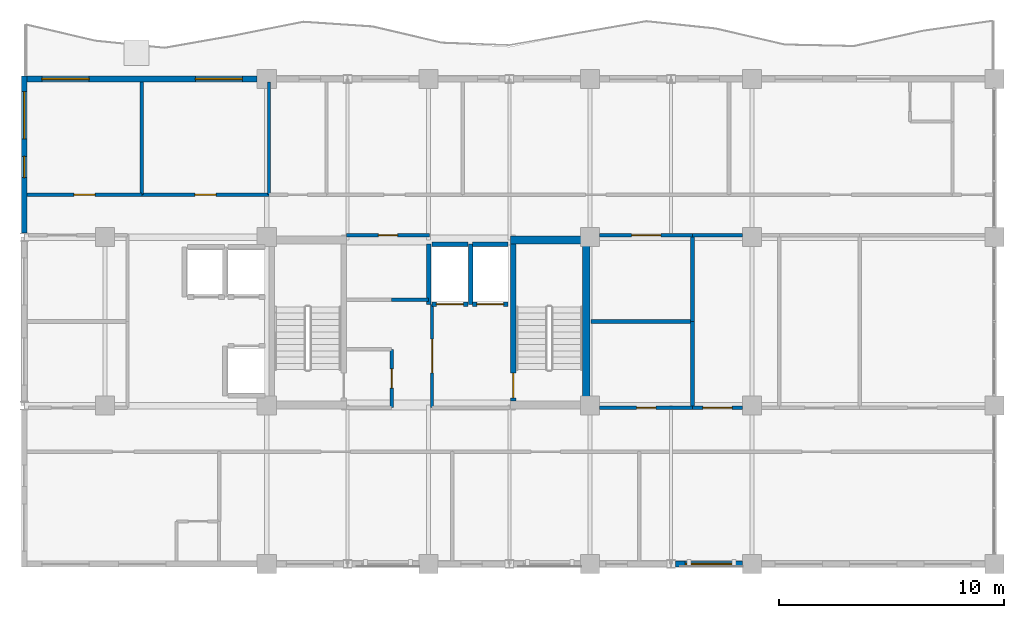
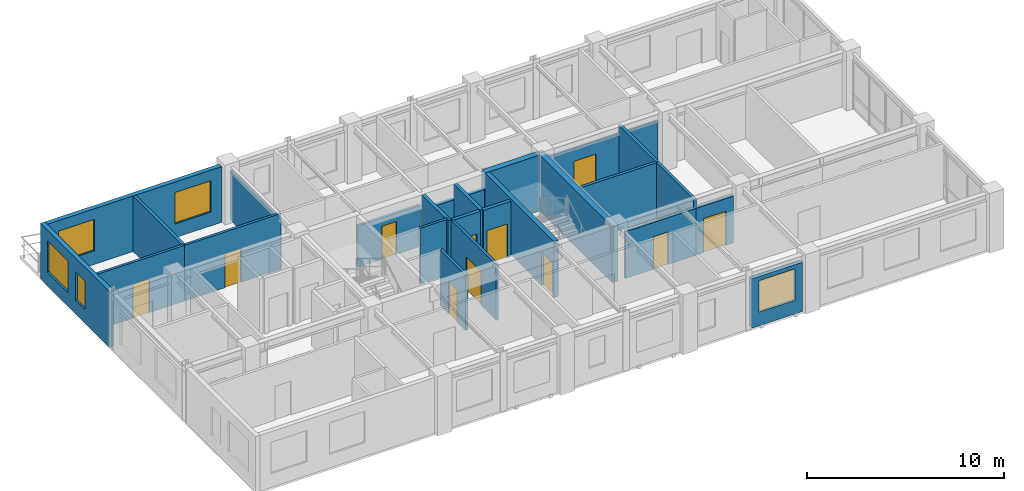
# One storey, part 7 of 11: 27 walls, 11 doors, 5 windows, 16 openings.
"""IFC4 building model written with IfcOpenShell, lengths in metres."""

from ifc_helpers import new_model, si_unit, direction, frame, frame_2d, origin, place, context, subcontext, project, spatial, rectangle, extrude, material, layer, layer_set, type_object, element, fill, save


model = new_model("IFC4")

# Units and contexts
model_context = context("Model", 3, precision=1e-05, world=origin(), true_north=direction((0.0, 1.0)))
body_context = subcontext(model_context, "Body", "Model", "MODEL_VIEW")
ifc_project = project(units=[si_unit("LENGTHUNIT", "METRE"), si_unit("AREAUNIT", "SQUARE_METRE"), si_unit("VOLUMEUNIT", "CUBIC_METRE"), si_unit("PLANEANGLEUNIT", "RADIAN"), si_unit("MASSUNIT", "GRAM", prefix="KILO")], contexts=[model_context])

# Site, building, storey
site_placement = place(None, origin())
site = spatial("IfcSite", under=ifc_project, at=site_placement, CompositionType="ELEMENT")
building_placement = place(site_placement, origin())
building = spatial("IfcBuilding", under=site, at=building_placement, Name="Kaliganga Portal Commons", CompositionType="ELEMENT")
storey_placement = place(building_placement, frame((0.0, 0.0, 257.300048828125)))
storey = spatial("IfcBuildingStorey", under=building, at=storey_placement, Name="L66", CompositionType="ELEMENT", Elevation=257.300048828125)

# Walls
ifc_material_1 = material(Name="Concrete C50/60", Category="concrete")
ifc_layer_1 = layer(ifc_material_1, 0.35009765625)
ifc_layer_set_1 = layer_set([ifc_layer_1], Name="Concrete C50/60")
wall_type_1 = type_object("IfcWallType", Name="WL-CORE-350", PredefinedType="SHEAR", material=ifc_layer_set_1)
wall_1_placement = place(storey_placement, frame((28.625, 28.5, 0.0), z_axis=(0.0, 0.0, 1.0), x_axis=(0.0, 1.0, 0.0)))
element("IfcWall", 1, at=wall_1_placement, inside=storey, type_object=wall_type_1, Name="Core A East Shear Wall L66", PredefinedType="SHEAR", context=body_context, shape_type="SweptSolid", body=[
    extrude(rectangle(XDim=7.699951171875, YDim=0.35009765625, at=frame_2d((3.85009765625, 0.0))), origin(), (0.0, 0.0, 1.0), 3.474853515625),
])
wall_2_placement = place(storey_placement, frame((25.25, 36.02490234375, 0.0), z_axis=(0.0, 0.0, 1.0), x_axis=(1.0, 0.0, 0.0)))
element("IfcWall", 2, at=wall_2_placement, inside=storey, type_object=wall_type_1, Name="Core A N-East Shear Wall L66", PredefinedType="SHEAR", context=body_context, shape_type="SweptSolid", body=[
    extrude(rectangle(XDim=3.199951171875, YDim=0.35009765625, at=frame_2d((1.60009765625, 0.0))), origin(), (0.0, 0.0, 1.0), 3.474853515625),
])

# Wall, opening, window
ifc_material_2 = material(Name="Insulated Aluminium-Clad Spandrel Assembly", Category="aluminium")
ifc_layer_2 = layer(ifc_material_2, 0.260009765625)
ifc_layer_set_2 = layer_set([ifc_layer_2], Name="Insulated Aluminium-Clad Spandrel Assembly")
wall_type_2 = type_object("IfcWallType", Name="WL-EXT-SPAND-260", PredefinedType="STANDARD", material=ifc_layer_set_2)
wall_3_placement = place(storey_placement, frame((35.573974609375, 21.60009765625, 0.0), z_axis=(0.0, 0.0, 1.0), x_axis=(-1.0, 0.0, 0.0)))
wall_3 = element("IfcWall", 3, at=wall_3_placement, inside=storey, type_object=wall_type_2, Name="Exterior Envelope Wall L66 P1-E00-S7", PredefinedType="STANDARD", context=body_context, shape_type="SweptSolid", body=[
    extrude(rectangle(XDim=2.986083984375, YDim=0.260009765625, at=frame_2d((1.4931640625, 0.0))), origin(), (0.0, 0.0, 1.0), 3.054931640625),
])
opening_1_placement = place(wall_3_placement, frame((0.443115234375, 0.0, 0.85009765625)))
opening_1 = element("IfcOpeningElement", 4, at=opening_1_placement, cuts=wall_3, Name="Opening W-06", PredefinedType="OPENING", context=body_context, shape_type="SweptSolid", body=[
    extrude(rectangle(XDim=2.10009765625, YDim=1.949951171875, at=frame_2d((1.050048828125, 0.97509765625))), frame((0.0, 0.14013671875, 0.0), z_axis=(0.0, -1.0, 0.0), x_axis=(1.0, 0.0, 0.0)), (0.0, 0.0, 1.0), 0.280029296875),
])
ifc_material_3 = material(Name="Thermally Broken Aluminium and Low-E Double Glazing", Category="aluminium")
window_type_1 = type_object("IfcWindowType", Name="WIN-PAN-2100", PartitioningType="DOUBLE_PANEL_VERTICAL", PredefinedType="WINDOW", material=ifc_material_3)
window_1_placement = place(opening_1_placement, origin())
window_1 = element("IfcWindow", 5, at=window_1_placement, inside=storey, type_object=window_type_1, Name="Facade Window L66-P1E00S7-00", OverallHeight=1.949951171875, OverallWidth=2.10009765625, PartitioningType="SINGLE_PANEL", PredefinedType="WINDOW", context=body_context, shape_type="SweptSolid", body=[
    extrude(rectangle(XDim=2.10009765625, YDim=1.949951171875, at=frame_2d((1.050048828125, 0.97509765625))), frame((0.0, 0.030029296875, 0.0), z_axis=(0.0, -1.0, 0.0), x_axis=(1.0, 0.0, 0.0)), (0.0, 0.0, 1.0), 0.06005859375),
])
fill(opening_1, window_1)

# Wall, openings, windows
wall_4_placement = place(storey_placement, frame((3.735107421875, 43.199951171875, 0.0), z_axis=(0.0, 0.0, 1.0), x_axis=(1.0, 0.0, 0.0)))
wall_4 = element("IfcWall", 6, at=wall_4_placement, inside=storey, type_object=wall_type_2, Name="Exterior Envelope Wall L66 P1-E02-S8", PredefinedType="STANDARD", context=body_context, shape_type="SweptSolid", body=[
    extrude(rectangle(XDim=10.239013671875, YDim=0.260009765625, at=frame_2d((5.11962890625, 0.0))), origin(), (0.0, 0.0, 1.0), 3.454833984375),
])
opening_2_placement = place(wall_4_placement, frame((0.656494140625, 0.0, 0.85009765625)))
opening_2 = element("IfcOpeningElement", 7, at=opening_2_placement, cuts=wall_4, Name="Opening W-06", PredefinedType="OPENING", context=body_context, shape_type="SweptSolid", body=[
    extrude(rectangle(XDim=2.10009765625, YDim=1.949951171875, at=frame_2d((1.050048828125, 0.97509765625))), frame((0.0, 0.14013671875, 0.0), z_axis=(0.0, -1.0, 0.0), x_axis=(1.0, 0.0, 0.0)), (0.0, 0.0, 1.0), 0.280029296875),
])
opening_3_placement = place(wall_4_placement, frame((7.482421875, 0.0, 0.85009765625)))
opening_3 = element("IfcOpeningElement", 8, at=opening_3_placement, cuts=wall_4, Name="Opening W-06", PredefinedType="OPENING", context=body_context, shape_type="SweptSolid", body=[
    extrude(rectangle(XDim=2.10009765625, YDim=1.949951171875, at=frame_2d((1.050048828125, 0.97509765625))), frame((0.0, 0.14013671875, 0.0), z_axis=(0.0, -1.0, 0.0), x_axis=(1.0, 0.0, 0.0)), (0.0, 0.0, 1.0), 0.280029296875),
])
window_2_placement = place(opening_2_placement, origin())
window_2 = element("IfcWindow", 9, at=window_2_placement, inside=storey, type_object=window_type_1, Name="Facade Window L66-P1E02S8-00", OverallHeight=1.949951171875, OverallWidth=2.10009765625, PartitioningType="SINGLE_PANEL", PredefinedType="WINDOW", context=body_context, shape_type="SweptSolid", body=[
    extrude(rectangle(XDim=2.10009765625, YDim=1.949951171875, at=frame_2d((1.050048828125, 0.97509765625))), frame((0.0, 0.030029296875, 0.0), z_axis=(0.0, -1.0, 0.0), x_axis=(1.0, 0.0, 0.0)), (0.0, 0.0, 1.0), 0.06005859375),
])
fill(opening_2, window_2)
window_3_placement = place(opening_3_placement, origin())
window_3 = element("IfcWindow", 10, at=window_3_placement, inside=storey, type_object=window_type_1, Name="Facade Window L66-P1E02S8-02", OverallHeight=1.949951171875, OverallWidth=2.10009765625, PartitioningType="SINGLE_PANEL", PredefinedType="WINDOW", context=body_context, shape_type="SweptSolid", body=[
    extrude(rectangle(XDim=2.10009765625, YDim=1.949951171875, at=frame_2d((1.050048828125, 0.97509765625))), frame((0.0, 0.030029296875, 0.0), z_axis=(0.0, -1.0, 0.0), x_axis=(1.0, 0.0, 0.0)), (0.0, 0.0, 1.0), 0.06005859375),
])
fill(opening_3, window_3)

wall_5_placement = place(storey_placement, frame((3.60009765625, 36.3369140625, 0.0), z_axis=(0.0, 0.0, 1.0), x_axis=(0.0, 1.0, 0.0)))
wall_5 = element("IfcWall", 11, at=wall_5_placement, inside=storey, type_object=wall_type_2, Name="Exterior Envelope Wall L66 P1-E03-S1", PredefinedType="STANDARD", context=body_context, shape_type="SweptSolid", body=[
    extrude(rectangle(XDim=6.9931640625, YDim=0.260009765625, at=frame_2d((3.49658203125, 0.0))), origin(), (0.0, 0.0, 1.0), 3.454833984375),
])
opening_4_placement = place(wall_5_placement, frame((4.194580078125, 0.0, 0.85009765625)))
opening_4 = element("IfcOpeningElement", 12, at=opening_4_placement, cuts=wall_5, Name="Opening W-06", PredefinedType="OPENING", context=body_context, shape_type="SweptSolid", body=[
    extrude(rectangle(XDim=2.10009765625, YDim=1.949951171875, at=frame_2d((1.050048828125, 0.97509765625))), frame((0.0, 0.14013671875, 0.0), z_axis=(0.0, -1.0, 0.0), x_axis=(1.0, 0.0, 0.0)), (0.0, 0.0, 1.0), 0.280029296875),
])
opening_5_placement = place(wall_5_placement, frame((2.462158203125, 0.0, 0.85009765625)))
opening_5 = element("IfcOpeningElement", 13, at=opening_5_placement, cuts=wall_5, Name="Opening W-04", PredefinedType="OPENING", context=body_context, shape_type="SweptSolid", body=[
    extrude(rectangle(XDim=0.949951171875, YDim=1.75, at=frame_2d((0.47509765625, 0.875))), frame((0.0, 0.14013671875, 0.0), z_axis=(0.0, -1.0, 0.0), x_axis=(1.0, 0.0, 0.0)), (0.0, 0.0, 1.0), 0.280029296875),
])
window_type_2 = type_object("IfcWindowType", Name="WIN-NARROW-950", PartitioningType="SINGLE_PANEL", PredefinedType="WINDOW", material=ifc_material_3)
window_4_placement = place(opening_5_placement, origin())
window_4 = element("IfcWindow", 14, at=window_4_placement, inside=storey, type_object=window_type_2, Name="Facade Window L66-P1E03S1-N5", OverallHeight=1.75, OverallWidth=0.949951171875, PartitioningType="SINGLE_PANEL", PredefinedType="WINDOW", context=body_context, shape_type="SweptSolid", body=[
    extrude(rectangle(XDim=0.949951171875, YDim=1.75, at=frame_2d((0.47509765625, 0.875))), frame((0.0, 0.030029296875, 0.0), z_axis=(0.0, -1.0, 0.0), x_axis=(1.0, 0.0, 0.0)), (0.0, 0.0, 1.0), 0.06005859375),
])
fill(opening_5, window_4)
window_5_placement = place(opening_4_placement, origin())
window_5 = element("IfcWindow", 15, at=window_5_placement, inside=storey, type_object=window_type_1, Name="Facade Window L66-P1E03S1-01", OverallHeight=1.949951171875, OverallWidth=2.10009765625, PartitioningType="SINGLE_PANEL", PredefinedType="WINDOW", context=body_context, shape_type="SweptSolid", body=[
    extrude(rectangle(XDim=2.10009765625, YDim=1.949951171875, at=frame_2d((1.050048828125, 0.97509765625))), frame((0.0, 0.030029296875, 0.0), z_axis=(0.0, -1.0, 0.0), x_axis=(1.0, 0.0, 0.0)), (0.0, 0.0, 1.0), 0.06005859375),
])
fill(opening_4, window_5)

# Wall, opening, door
ifc_material_4 = material(Name="Fire-Rated Gypsum Board on Steel Stud", Category="steel")
ifc_layer_3 = layer(ifc_material_4, 0.14990234375)
ifc_layer_set_3 = layer_set([ifc_layer_3], Name="Fire-Rated Gypsum Board on Steel Stud")
wall_type_3 = type_object("IfcWallType", Name="WL-PART-CORR-150", PredefinedType="PARTITIONING", material=ifc_layer_set_3)
wall_6_placement = place(storey_placement, frame((8.840087890625, 38.0400390625, 0.0), z_axis=(0.0, 0.0, 1.0), x_axis=(1.0, 0.0, 0.0)))
wall_6 = element("IfcWall", 16, at=wall_6_placement, inside=storey, type_object=wall_type_3, Name="Interior Partition L66-016", PredefinedType="PARTITIONING", context=body_context, shape_type="SweptSolid", body=[
    extrude(rectangle(XDim=5.659912109375, YDim=0.14990234375, at=frame_2d((2.830078125, 0.0))), origin(), (0.0, 0.0, 1.0), 3.454833984375),
])
opening_6_placement = place(wall_6_placement, frame((2.35498046875, 0.0, 0.0)))
opening_6 = element("IfcOpeningElement", 17, at=opening_6_placement, cuts=wall_6, Name="Opening UD-01", PredefinedType="OPENING", context=body_context, shape_type="SweptSolid", body=[
    extrude(rectangle(XDim=0.949951171875, YDim=2.10009765625, at=frame_2d((0.47509765625, 1.050048828125))), frame((0.0, 0.0849609375, 0.0), z_axis=(0.0, -1.0, 0.0), x_axis=(1.0, 0.0, 0.0)), (0.0, 0.0, 1.0), 0.169921875),
])
ifc_material_5 = material(Name="Solid-Core Timber Acoustic Fire Door", Category="wood")
door_type_1 = type_object("IfcDoorType", Name="DR-UNIT-950", OperationType="NOTDEFINED", PredefinedType="DOOR", material=ifc_material_5)
door_1_placement = place(opening_6_placement, origin())
door_1 = element("IfcDoor", 18, at=door_1_placement, inside=storey, type_object=door_type_1, Name="Interior Door L66-AN02", OperationType="SINGLE_SWING_LEFT", OverallHeight=2.10009765625, OverallWidth=0.949951171875, PredefinedType="DOOR", context=body_context, shape_type="SweptSolid", body=[
    extrude(rectangle(XDim=0.949951171875, YDim=2.10009765625, at=frame_2d((0.47509765625, 1.050048828125))), frame((0.0, 0.02490234375, 0.0), z_axis=(0.0, -1.0, 0.0), x_axis=(1.0, 0.0, 0.0)), (0.0, 0.0, 1.0), 0.050048828125),
])
fill(opening_6, door_1)

wall_7_placement = place(storey_placement, frame((3.73193359375, 38.0400390625, 0.0), z_axis=(0.0, 0.0, 1.0), x_axis=(1.0, 0.0, 0.0)))
wall_7 = element("IfcWall", 19, at=wall_7_placement, inside=storey, type_object=wall_type_3, Name="Interior Partition L66-017", PredefinedType="PARTITIONING", context=body_context, shape_type="SweptSolid", body=[
    extrude(rectangle(XDim=5.108154296875, YDim=0.14990234375, at=frame_2d((2.55419921875, 0.0))), origin(), (0.0, 0.0, 1.0), 3.454833984375),
])
opening_7_placement = place(wall_7_placement, frame((2.0791015625, 0.0, 0.0)))
opening_7 = element("IfcOpeningElement", 20, at=opening_7_placement, cuts=wall_7, Name="Opening UD-01", PredefinedType="OPENING", context=body_context, shape_type="SweptSolid", body=[
    extrude(rectangle(XDim=0.949951171875, YDim=2.10009765625, at=frame_2d((0.47509765625, 1.050048828125))), frame((0.0, 0.0849609375, 0.0), z_axis=(0.0, -1.0, 0.0), x_axis=(1.0, 0.0, 0.0)), (0.0, 0.0, 1.0), 0.169921875),
])
door_2_placement = place(opening_7_placement, origin())
door_2 = element("IfcDoor", 21, at=door_2_placement, inside=storey, type_object=door_type_1, Name="Interior Door L66-AN01", OperationType="SINGLE_SWING_RIGHT", OverallHeight=2.10009765625, OverallWidth=0.949951171875, PredefinedType="DOOR", context=body_context, shape_type="SweptSolid", body=[
    extrude(rectangle(XDim=0.949951171875, YDim=2.10009765625, at=frame_2d((0.47509765625, 1.050048828125))), frame((0.0, 0.02490234375, 0.0), z_axis=(0.0, -1.0, 0.0), x_axis=(1.0, 0.0, 0.0)), (0.0, 0.0, 1.0), 0.050048828125),
])
fill(opening_7, door_2)

wall_8_placement = place(storey_placement, frame((29.22509765625, 28.56005859375, 0.0), z_axis=(0.0, 0.0, 1.0), x_axis=(1.0, 0.0, 0.0)))
wall_8 = element("IfcWall", 22, at=wall_8_placement, inside=storey, type_object=wall_type_3, Name="Interior Partition L66-022", PredefinedType="PARTITIONING", context=body_context, shape_type="SweptSolid", body=[
    extrude(rectangle(XDim=4.135009765625, YDim=0.14990234375, at=frame_2d((2.0673828125, 0.0))), origin(), (0.0, 0.0, 1.0), 2.905029296875),
])
opening_8_placement = place(wall_8_placement, frame((1.637451171875, 0.0, 0.0)))
opening_8 = element("IfcOpeningElement", 23, at=opening_8_placement, cuts=wall_8, Name="Opening WD-02", PredefinedType="OPENING", context=body_context, shape_type="SweptSolid", body=[
    extrude(rectangle(XDim=0.860107421875, YDim=2.02001953125, at=frame_2d((0.43017578125, 1.010009765625))), frame((0.0, 0.0849609375, 0.0), z_axis=(0.0, -1.0, 0.0), x_axis=(1.0, 0.0, 0.0)), (0.0, 0.0, 1.0), 0.169921875),
])
ifc_material_6 = material(Name="Fire-Rated Utility Closet Door", Category="wood")
door_type_2 = type_object("IfcDoorType", Name="DR-STORE-800", OperationType="NOTDEFINED", PredefinedType="DOOR", material=ifc_material_6)
door_3_placement = place(opening_8_placement, origin())
door_3 = element("IfcDoor", 24, at=door_3_placement, inside=storey, type_object=door_type_2, Name="Interior Door L66-CSRV_A1", OperationType="SINGLE_SWING_LEFT", OverallHeight=2.02001953125, OverallWidth=0.860107421875, PredefinedType="DOOR", context=body_context, shape_type="SweptSolid", body=[
    extrude(rectangle(XDim=0.860107421875, YDim=2.02001953125, at=frame_2d((0.43017578125, 1.010009765625))), frame((0.0, 0.02490234375, 0.0), z_axis=(0.0, -1.0, 0.0), x_axis=(1.0, 0.0, 0.0)), (0.0, 0.0, 1.0), 0.050048828125),
])
fill(opening_8, door_3)

wall_9_placement = place(storey_placement, frame((29.22509765625, 36.239990234375, 0.0), z_axis=(0.0, 0.0, 1.0), x_axis=(1.0, 0.0, 0.0)))
wall_9 = element("IfcWall", 25, at=wall_9_placement, inside=storey, type_object=wall_type_3, Name="Interior Partition L66-023", PredefinedType="PARTITIONING", context=body_context, shape_type="SweptSolid", body=[
    extrude(rectangle(XDim=4.135009765625, YDim=0.14990234375, at=frame_2d((2.0673828125, 0.0))), origin(), (0.0, 0.0, 1.0), 2.905029296875),
])
opening_9_placement = place(wall_9_placement, frame((1.41748046875, 0.0, 0.0)))
opening_9 = element("IfcOpeningElement", 26, at=opening_9_placement, cuts=wall_9, Name="Opening RD-03", PredefinedType="OPENING", context=body_context, shape_type="SweptSolid", body=[
    extrude(rectangle(XDim=1.300048828125, YDim=2.1201171875, at=frame_2d((0.64990234375, 1.06005859375))), frame((0.0, 0.0849609375, 0.0), z_axis=(0.0, -1.0, 0.0), x_axis=(1.0, 0.0, 0.0)), (0.0, 0.0, 1.0), 0.169921875),
])
ifc_material_7 = material(Name="Glazed Timber Seminar Vision Door", Category="wood")
door_type_3 = type_object("IfcDoorType", Name="DR-STUDY-1300", OperationType="DOUBLE_DOOR_SINGLE_SWING", PredefinedType="DOOR", material=ifc_material_7)
door_4_placement = place(opening_9_placement, origin())
door_4 = element("IfcDoor", 27, at=door_4_placement, inside=storey, type_object=door_type_3, Name="Interior Door L66-CSRV_A2", OperationType="DOUBLE_DOOR_SINGLE_SWING", OverallHeight=2.1201171875, OverallWidth=1.300048828125, PredefinedType="DOOR", context=body_context, shape_type="SweptSolid", body=[
    extrude(rectangle(XDim=1.300048828125, YDim=2.1201171875, at=frame_2d((0.64990234375, 1.06005859375))), frame((0.0, 0.02490234375, 0.0), z_axis=(0.0, -1.0, 0.0), x_axis=(1.0, 0.0, 0.0)), (0.0, 0.0, 1.0), 0.050048828125),
])
fill(opening_9, door_4)

wall_10_placement = place(storey_placement, frame((33.360107421875, 28.56005859375, 0.0), z_axis=(0.0, 0.0, 1.0), x_axis=(1.0, 0.0, 0.0)))
wall_10 = element("IfcWall", 28, at=wall_10_placement, inside=storey, type_object=wall_type_3, Name="Interior Partition L66-024", PredefinedType="PARTITIONING", context=body_context, shape_type="SweptSolid", body=[
    extrude(rectangle(XDim=2.21484375, YDim=0.14990234375, at=frame_2d((1.107421875, 0.0))), origin(), (0.0, 0.0, 1.0), 2.905029296875),
])
opening_10_placement = place(wall_10_placement, frame((0.45751953125, 0.0, 0.0)))
opening_10 = element("IfcOpeningElement", 29, at=opening_10_placement, cuts=wall_10, Name="Opening RD-03", PredefinedType="OPENING", context=body_context, shape_type="SweptSolid", body=[
    extrude(rectangle(XDim=1.300048828125, YDim=2.1201171875, at=frame_2d((0.64990234375, 1.06005859375))), frame((0.0, 0.0849609375, 0.0), z_axis=(0.0, -1.0, 0.0), x_axis=(1.0, 0.0, 0.0)), (0.0, 0.0, 1.0), 0.169921875),
])
door_5_placement = place(opening_10_placement, origin())
door_5 = element("IfcDoor", 30, at=door_5_placement, inside=storey, type_object=door_type_3, Name="Interior Door L66-AE01", OperationType="DOUBLE_DOOR_SINGLE_SWING", OverallHeight=2.1201171875, OverallWidth=1.300048828125, PredefinedType="DOOR", context=body_context, shape_type="SweptSolid", body=[
    extrude(rectangle(XDim=1.300048828125, YDim=2.1201171875, at=frame_2d((0.64990234375, 1.06005859375))), frame((0.0, 0.02490234375, 0.0), z_axis=(0.0, -1.0, 0.0), x_axis=(1.0, 0.0, 0.0)), (0.0, 0.0, 1.0), 0.050048828125),
])
fill(opening_10, door_5)

# Wall
wall_11_placement = place(storey_placement, frame((33.360107421875, 36.239990234375, 0.0), z_axis=(0.0, 0.0, 1.0), x_axis=(1.0, 0.0, 0.0)))
element("IfcWall", 31, at=wall_11_placement, inside=storey, type_object=wall_type_3, Name="Interior Partition L66-026", PredefinedType="PARTITIONING", context=body_context, shape_type="SweptSolid", body=[
    extrude(rectangle(XDim=2.21484375, YDim=0.14990234375, at=frame_2d((1.107421875, 0.0))), origin(), (0.0, 0.0, 1.0), 2.905029296875),
])

# Wall, opening, door
wall_12_placement = place(storey_placement, frame((17.9599609375, 36.239990234375, 0.0), z_axis=(0.0, 0.0, 1.0), x_axis=(1.0, 0.0, 0.0)))
wall_12 = element("IfcWall", 32, at=wall_12_placement, inside=storey, type_object=wall_type_3, Name="Interior Partition L66-030", PredefinedType="PARTITIONING", context=body_context, shape_type="SweptSolid", body=[
    extrude(rectangle(XDim=3.679931640625, YDim=0.14990234375, at=frame_2d((1.83984375, 0.0))), origin(), (0.0, 0.0, 1.0), 2.554931640625),
])
opening_11_placement = place(wall_12_placement, frame((1.4150390625, 0.0, 0.0)))
opening_11 = element("IfcOpeningElement", 33, at=opening_11_placement, cuts=wall_12, Name="Opening WD-01", PredefinedType="OPENING", context=body_context, shape_type="SweptSolid", body=[
    extrude(rectangle(XDim=0.85009765625, YDim=2.0400390625, at=frame_2d((0.425048828125, 1.02001953125))), frame((0.0, 0.0849609375, 0.0), z_axis=(0.0, -1.0, 0.0), x_axis=(1.0, 0.0, 0.0)), (0.0, 0.0, 1.0), 0.169921875),
])
ifc_material_8 = material(Name="Moisture-Resistant Laminate Timber Door", Category="wood")
door_type_4 = type_object("IfcDoorType", Name="DR-WET-850", OperationType="NOTDEFINED", PredefinedType="DOOR", material=ifc_material_8)
door_6_placement = place(opening_11_placement, origin())
door_6 = element("IfcDoor", 34, at=door_6_placement, inside=storey, type_object=door_type_4, Name="Interior Door L66-CREC_A1", OperationType="SINGLE_SWING_RIGHT", OverallHeight=2.0400390625, OverallWidth=0.85009765625, PredefinedType="DOOR", context=body_context, shape_type="SweptSolid", body=[
    extrude(rectangle(XDim=0.85009765625, YDim=2.0400390625, at=frame_2d((0.425048828125, 1.02001953125))), frame((0.0, 0.02490234375, 0.0), z_axis=(0.0, -1.0, 0.0), x_axis=(1.0, 0.0, 0.0)), (0.0, 0.0, 1.0), 0.050048828125),
])
fill(opening_11, door_6)

wall_13_placement = place(storey_placement, frame((19.9599609375, 28.56005859375, 0.0), z_axis=(0.0, 0.0, 1.0), x_axis=(0.0, 1.0, 0.0)))
wall_13 = element("IfcWall", 35, at=wall_13_placement, inside=storey, type_object=wall_type_3, Name="Interior Partition L66-033", PredefinedType="PARTITIONING", context=body_context, shape_type="SweptSolid", body=[
    extrude(rectangle(XDim=2.599853515625, YDim=0.14990234375, at=frame_2d((1.2998046875, 0.0))), origin(), (0.0, 0.0, 1.0), 3.454833984375),
])
opening_12_placement = place(wall_13_placement, frame((0.8701171875, 0.0, 0.0)))
opening_12 = element("IfcOpeningElement", 36, at=opening_12_placement, cuts=wall_13, Name="Opening WD-02", PredefinedType="OPENING", context=body_context, shape_type="SweptSolid", body=[
    extrude(rectangle(XDim=0.860107421875, YDim=2.02001953125, at=frame_2d((0.43017578125, 1.010009765625))), frame((0.0, 0.0849609375, 0.0), z_axis=(0.0, -1.0, 0.0), x_axis=(1.0, 0.0, 0.0)), (0.0, 0.0, 1.0), 0.169921875),
])
door_7_placement = place(opening_12_placement, origin())
door_7 = element("IfcDoor", 37, at=door_7_placement, inside=storey, type_object=door_type_2, Name="Interior Door L66-CIN_A1", OperationType="SINGLE_SWING_RIGHT", OverallHeight=2.02001953125, OverallWidth=0.860107421875, PredefinedType="DOOR", context=body_context, shape_type="SweptSolid", body=[
    extrude(rectangle(XDim=0.860107421875, YDim=2.02001953125, at=frame_2d((0.43017578125, 1.010009765625))), frame((0.0, 0.02490234375, 0.0), z_axis=(0.0, -1.0, 0.0), x_axis=(1.0, 0.0, 0.0)), (0.0, 0.0, 1.0), 0.050048828125),
])
fill(opening_12, door_7)

# Wall
wall_14_placement = place(storey_placement, frame((19.9599609375, 33.360107421875, 0.0), z_axis=(0.0, 0.0, 1.0), x_axis=(1.0, 0.0, 0.0)))
element("IfcWall", 38, at=wall_14_placement, inside=storey, type_object=wall_type_3, Name="Interior Partition L66-039", PredefinedType="PARTITIONING", context=body_context, shape_type="SweptSolid", body=[
    extrude(rectangle(XDim=1.650146484375, YDim=0.14990234375, at=frame_2d((0.8251953125, 0.0))), origin(), (0.0, 0.0, 1.0), 3.454833984375),
])

# Wall, opening, door
wall_15_placement = place(storey_placement, frame((21.760009765625, 28.56005859375, 0.0), z_axis=(0.0, 0.0, 1.0), x_axis=(0.0, 1.0, 0.0)))
wall_15 = element("IfcWall", 39, at=wall_15_placement, inside=storey, type_object=wall_type_3, Name="Interior Partition L66-050", PredefinedType="PARTITIONING", context=body_context, shape_type="SweptSolid", body=[
    extrude(rectangle(XDim=4.599853515625, YDim=0.14990234375, at=frame_2d((2.2998046875, 0.0))), origin(), (0.0, 0.0, 1.0), 3.454833984375),
])
opening_13_placement = place(wall_15_placement, frame((1.550048828125, 0.0, 0.0)))
opening_13 = element("IfcOpeningElement", 40, at=opening_13_placement, cuts=wall_15, Name="Opening FD-01", PredefinedType="OPENING", context=body_context, shape_type="SweptSolid", body=[
    extrude(rectangle(XDim=1.5, YDim=2.10009765625, at=frame_2d((0.75, 1.050048828125))), frame((0.0, 0.0849609375, 0.0), z_axis=(0.0, -1.0, 0.0), x_axis=(1.0, 0.0, 0.0)), (0.0, 0.0, 1.0), 0.169921875),
])
ifc_material_9 = material(Name="Fire-Rated Hardwood and Georgian-Wired Vision Panel", Category="wood")
door_type_5 = type_object("IfcDoorType", Name="DR-LOBBY-1500", OperationType="DOUBLE_DOOR_SINGLE_SWING", PredefinedType="DOOR", material=ifc_material_9)
door_8_placement = place(opening_13_placement, origin())
door_8 = element("IfcDoor", 41, at=door_8_placement, inside=storey, type_object=door_type_5, Name="Interior Door L66-FFLOB_A", OperationType="DOUBLE_DOOR_SINGLE_SWING", OverallHeight=2.10009765625, OverallWidth=1.5, PredefinedType="DOOR", context=body_context, shape_type="SweptSolid", body=[
    extrude(rectangle(XDim=1.5, YDim=2.10009765625, at=frame_2d((0.75, 1.050048828125))), frame((0.0, 0.02490234375, 0.0), z_axis=(0.0, -1.0, 0.0), x_axis=(1.0, 0.0, 0.0)), (0.0, 0.0, 1.0), 0.050048828125),
])
fill(opening_13, door_8)

# Walls
ifc_material_10 = material(Name="Twin-Stud Acoustic Gypsum Partition", Category="gypsum")
ifc_layer_4 = layer(ifc_material_10, 0.1650390625)
ifc_layer_set_4 = layer_set([ifc_layer_4], Name="Twin-Stud Acoustic Gypsum Partition")
wall_type_4 = type_object("IfcWallType", Name="WL-PART-UNIT-165", PredefinedType="PARTITIONING", material=ifc_layer_set_4)
wall_16_placement = place(storey_placement, frame((8.840087890625, 38.0400390625, 0.0), z_axis=(0.0, 0.0, 1.0), x_axis=(0.0, 1.0, 0.0)))
element("IfcWall", 42, at=wall_16_placement, inside=storey, type_object=wall_type_4, Name="Interior Partition L66-042", PredefinedType="PARTITIONING", context=body_context, shape_type="SweptSolid", body=[
    extrude(rectangle(XDim=5.028076171875, YDim=0.1650390625, at=frame_2d((2.51416015625, 0.0))), origin(), (0.0, 0.0, 1.0), 3.454833984375),
])
wall_17_placement = place(storey_placement, frame((28.840087890625, 32.39990234375, 0.0), z_axis=(0.0, 0.0, 1.0), x_axis=(1.0, 0.0, 0.0)))
element("IfcWall", 43, at=wall_17_placement, inside=storey, type_object=wall_type_4, Name="Interior Partition L66-051", PredefinedType="PARTITIONING", context=body_context, shape_type="SweptSolid", body=[
    extrude(rectangle(XDim=4.52001953125, YDim=0.1650390625, at=frame_2d((2.260009765625, 0.0))), origin(), (0.0, 0.0, 1.0), 3.454833984375),
])
wall_18_placement = place(storey_placement, frame((33.360107421875, 32.39990234375, 0.0), z_axis=(0.0, 0.0, 1.0), x_axis=(0.0, 1.0, 0.0)))
element("IfcWall", 44, at=wall_18_placement, inside=storey, type_object=wall_type_4, Name="Interior Partition L66-052", PredefinedType="PARTITIONING", context=body_context, shape_type="SweptSolid", body=[
    extrude(rectangle(XDim=3.840087890625, YDim=0.1650390625, at=frame_2d((1.919921875, 0.0))), origin(), (0.0, 0.0, 1.0), 3.454833984375),
])
wall_19_placement = place(storey_placement, frame((33.360107421875, 28.56005859375, 0.0), z_axis=(0.0, 0.0, 1.0), x_axis=(0.0, 1.0, 0.0)))
element("IfcWall", 45, at=wall_19_placement, inside=storey, type_object=wall_type_4, Name="Interior Partition L66-053", PredefinedType="PARTITIONING", context=body_context, shape_type="SweptSolid", body=[
    extrude(rectangle(XDim=3.83984375, YDim=0.1650390625, at=frame_2d((1.919921875, 0.0))), origin(), (0.0, 0.0, 1.0), 3.454833984375),
])
ifc_material_11 = material(Name="Cement-Board Wet-Room Partition", Category="gypsum")
ifc_layer_5 = layer(ifc_material_11, 0.135009765625)
ifc_layer_set_5 = layer_set([ifc_layer_5], Name="Cement-Board Wet-Room Partition")
wall_type_5 = type_object("IfcWallType", Name="WL-PART-WET-135", PredefinedType="PARTITIONING", material=ifc_layer_set_5)
wall_20_placement = place(storey_placement, frame((14.5, 38.0400390625, 0.0), z_axis=(0.0, 0.0, 1.0), x_axis=(0.0, 1.0, 0.0)))
element("IfcWall", 46, at=wall_20_placement, inside=storey, type_object=wall_type_5, Name="Interior Partition L66-043", PredefinedType="PARTITIONING", context=body_context, shape_type="SweptSolid", body=[
    extrude(rectangle(XDim=5.028076171875, YDim=0.135009765625, at=frame_2d((2.51416015625, 0.0))), origin(), (0.0, 0.0, 1.0), 3.054931640625),
])

# Wall, opening, door
ifc_material_12 = material(Name="Fire-Rated Shaftwall Masonry Assembly", Category="masonry")
ifc_layer_6 = layer(ifc_material_12, 0.199951171875)
ifc_layer_set_6 = layer_set([ifc_layer_6], Name="Fire-Rated Shaftwall Masonry Assembly")
wall_type_6 = type_object("IfcWallType", Name="WL-SHAFT-200", PredefinedType="PARTITIONING", material=ifc_layer_set_6)
wall_21_placement = place(storey_placement, frame((21.75, 33.159912109375, 0.0), z_axis=(0.0, 0.0, 1.0), x_axis=(1.0, 0.0, 0.0)))
wall_21 = element("IfcWall", 47, at=wall_21_placement, inside=storey, type_object=wall_type_6, Name="Lift FFL-1 Hoistway Shaft Wall L66-S", PredefinedType="PARTITIONING", context=body_context, shape_type="SweptSolid", body=[
    extrude(rectangle(XDim=1.60009765625, YDim=0.199951171875, at=frame_2d((0.800048828125, 0.0))), origin(), (0.0, 0.0, 1.0), 3.454833984375),
])
opening_14_placement = place(wall_21_placement, frame((0.199951171875, 0.0, 0.0)))
opening_14 = element("IfcOpeningElement", 48, at=opening_14_placement, cuts=wall_21, Name="Opening LD-02", PredefinedType="OPENING", context=body_context, shape_type="SweptSolid", body=[
    extrude(rectangle(XDim=1.199951171875, YDim=2.1201171875, at=frame_2d((0.60009765625, 1.06005859375))), frame((0.0, 0.10986328125, 0.0), z_axis=(0.0, -1.0, 0.0), x_axis=(1.0, 0.0, 0.0)), (0.0, 0.0, 1.0), 0.219970703125),
])
ifc_material_13 = material(Name="Brushed Stainless Steel 316 Stretcher Lift Landing Door", Category="steel")
door_type_6 = type_object("IfcDoorType", Name="DR-LIFT-1200", OperationType="SLIDING_TO_RIGHT", PredefinedType="DOOR", material=ifc_material_13)
door_9_placement = place(opening_14_placement, origin())
door_9 = element("IfcDoor", 49, at=door_9_placement, inside=storey, type_object=door_type_6, Name="Lift FFL-1 Sliding Landing Door L66", OperationType="SLIDING_TO_RIGHT", OverallHeight=2.1201171875, OverallWidth=1.199951171875, PredefinedType="DOOR", context=body_context, shape_type="SweptSolid", body=[
    extrude(rectangle(XDim=1.199951171875, YDim=2.1201171875, at=frame_2d((0.60009765625, 1.06005859375))), frame((0.0, 0.02490234375, 0.0), z_axis=(0.0, -1.0, 0.0), x_axis=(1.0, 0.0, 0.0)), (0.0, 0.0, 1.0), 0.050048828125),
])
fill(opening_14, door_9)

# Walls
wall_22_placement = place(storey_placement, frame((21.75, 35.840087890625, 0.0), z_axis=(0.0, 0.0, 1.0), x_axis=(1.0, 0.0, 0.0)))
element("IfcWall", 50, at=wall_22_placement, inside=storey, type_object=wall_type_6, Name="Lift FFL-1 Hoistway Shaft Wall L66-N", PredefinedType="PARTITIONING", context=body_context, shape_type="SweptSolid", body=[
    extrude(rectangle(XDim=1.60009765625, YDim=0.199951171875, at=frame_2d((0.800048828125, 0.0))), origin(), (0.0, 0.0, 1.0), 2.554931640625),
])
for number, where, z_axis, x_axis, name in (
    (51, (21.610107421875, 33.159912109375, 0.0), (0.0, 0.0, 1.0), (0.0, 1.0, 0.0), "Lift FFL-1 Hoistway Shaft Wall L66-W"),
    (52, (23.489990234375, 33.159912109375, 0.0), (0.0, 0.0, 1.0), (0.0, 1.0, 0.0), "Lift FFL-1 Hoistway Shaft Wall L66-E"),
):
    element("IfcWall", number, at=place(storey_placement, frame(where, z_axis=z_axis, x_axis=x_axis)), inside=storey, type_object=wall_type_6, Name=name, PredefinedType="PARTITIONING", context=body_context, shape_type="SweptSolid", body=[
        extrude(rectangle(XDim=2.68017578125, YDim=0.199951171875, at=frame_2d((1.340087890625, 0.0))), origin(), (0.0, 0.0, 1.0), 3.454833984375),
    ])

# Wall, opening, door
wall_23_placement = place(storey_placement, frame((23.550048828125, 33.159912109375, 0.0), z_axis=(0.0, 0.0, 1.0), x_axis=(1.0, 0.0, 0.0)))
wall_23 = element("IfcWall", 53, at=wall_23_placement, inside=storey, type_object=wall_type_6, Name="Lift FFL-2 Hoistway Shaft Wall L66-S", PredefinedType="PARTITIONING", context=body_context, shape_type="SweptSolid", body=[
    extrude(rectangle(XDim=1.599853515625, YDim=0.199951171875, at=frame_2d((0.7998046875, 0.0))), origin(), (0.0, 0.0, 1.0), 3.454833984375),
])
opening_15_placement = place(wall_23_placement, frame((0.199951171875, 0.0, 0.0)))
opening_15 = element("IfcOpeningElement", 54, at=opening_15_placement, cuts=wall_23, Name="Opening LD-02", PredefinedType="OPENING", context=body_context, shape_type="SweptSolid", body=[
    extrude(rectangle(XDim=1.199951171875, YDim=2.1201171875, at=frame_2d((0.60009765625, 1.06005859375))), frame((0.0, 0.10986328125, 0.0), z_axis=(0.0, -1.0, 0.0), x_axis=(1.0, 0.0, 0.0)), (0.0, 0.0, 1.0), 0.219970703125),
])
door_10_placement = place(opening_15_placement, origin())
door_10 = element("IfcDoor", 55, at=door_10_placement, inside=storey, type_object=door_type_6, Name="Lift FFL-2 Sliding Landing Door L66", OperationType="SLIDING_TO_RIGHT", OverallHeight=2.1201171875, OverallWidth=1.199951171875, PredefinedType="DOOR", context=body_context, shape_type="SweptSolid", body=[
    extrude(rectangle(XDim=1.199951171875, YDim=2.1201171875, at=frame_2d((0.60009765625, 1.06005859375))), frame((0.0, 0.02490234375, 0.0), z_axis=(0.0, -1.0, 0.0), x_axis=(1.0, 0.0, 0.0)), (0.0, 0.0, 1.0), 0.050048828125),
])
fill(opening_15, door_10)

# Wall
wall_24_placement = place(storey_placement, frame((23.550048828125, 35.840087890625, 0.0), z_axis=(0.0, 0.0, 1.0), x_axis=(1.0, 0.0, 0.0)))
element("IfcWall", 56, at=wall_24_placement, inside=storey, type_object=wall_type_6, Name="Lift FFL-2 Hoistway Shaft Wall L66-N", PredefinedType="PARTITIONING", context=body_context, shape_type="SweptSolid", body=[
    extrude(rectangle(XDim=1.599853515625, YDim=0.199951171875, at=frame_2d((0.7998046875, 0.0))), origin(), (0.0, 0.0, 1.0), 2.554931640625),
])

# Wall, opening, door
ifc_layer_7 = layer(ifc_material_1, 0.25)
ifc_layer_set_7 = layer_set([ifc_layer_7], Name="Concrete C50/60")
wall_type_7 = type_object("IfcWallType", Name="WL-STAIR-250", PredefinedType="SHEAR", material=ifc_layer_set_7)
wall_25_placement = place(storey_placement, frame((25.375, 28.85009765625, 0.0), z_axis=(0.0, 0.0, 1.0), x_axis=(0.0, 1.0, 0.0)))
wall_25 = element("IfcWall", 57, at=wall_25_placement, inside=storey, type_object=wall_type_7, Name="Stair A2 Enclosure Shear Wall L66", PredefinedType="SHEAR", context=body_context, shape_type="SweptSolid", body=[
    extrude(rectangle(XDim=7.0, YDim=0.25, at=frame_2d((3.5, 0.0))), origin(), (0.0, 0.0, 1.0), 3.474853515625),
])
opening_16_placement = place(wall_25_placement, frame((0.14990234375, 0.0, 0.0)))
opening_16 = element("IfcOpeningElement", 58, at=opening_16_placement, cuts=wall_25, Name="Opening SD-01", PredefinedType="OPENING", context=body_context, shape_type="SweptSolid", body=[
    extrude(rectangle(XDim=1.10009765625, YDim=2.080078125, at=frame_2d((0.550048828125, 1.0400390625))), frame((0.0, 0.135009765625, 0.0), z_axis=(0.0, -1.0, 0.0), x_axis=(1.0, 0.0, 0.0)), (0.0, 0.0, 1.0), 0.27001953125),
])
ifc_material_14 = material(Name="Galvanized Steel Fire Door Leaf and Frame", Category="steel")
door_type_7 = type_object("IfcDoorType", Name="DR-STAIR-1100", OperationType="NOTDEFINED", PredefinedType="DOOR", material=ifc_material_14)
door_11_placement = place(opening_16_placement, origin())
door_11 = element("IfcDoor", 59, at=door_11_placement, inside=storey, type_object=door_type_7, Name="Protected Stair ST-A2 Fire Door L66", OperationType="SINGLE_SWING_LEFT", OverallHeight=2.080078125, OverallWidth=1.10009765625, PredefinedType="DOOR", context=body_context, shape_type="SweptSolid", body=[
    extrude(rectangle(XDim=1.10009765625, YDim=2.080078125, at=frame_2d((0.550048828125, 1.0400390625))), frame((0.0, 0.02490234375, 0.0), z_axis=(0.0, -1.0, 0.0), x_axis=(1.0, 0.0, 0.0)), (0.0, 0.0, 1.0), 0.050048828125),
])
fill(opening_16, door_11)

save(model, "model.ifc")
